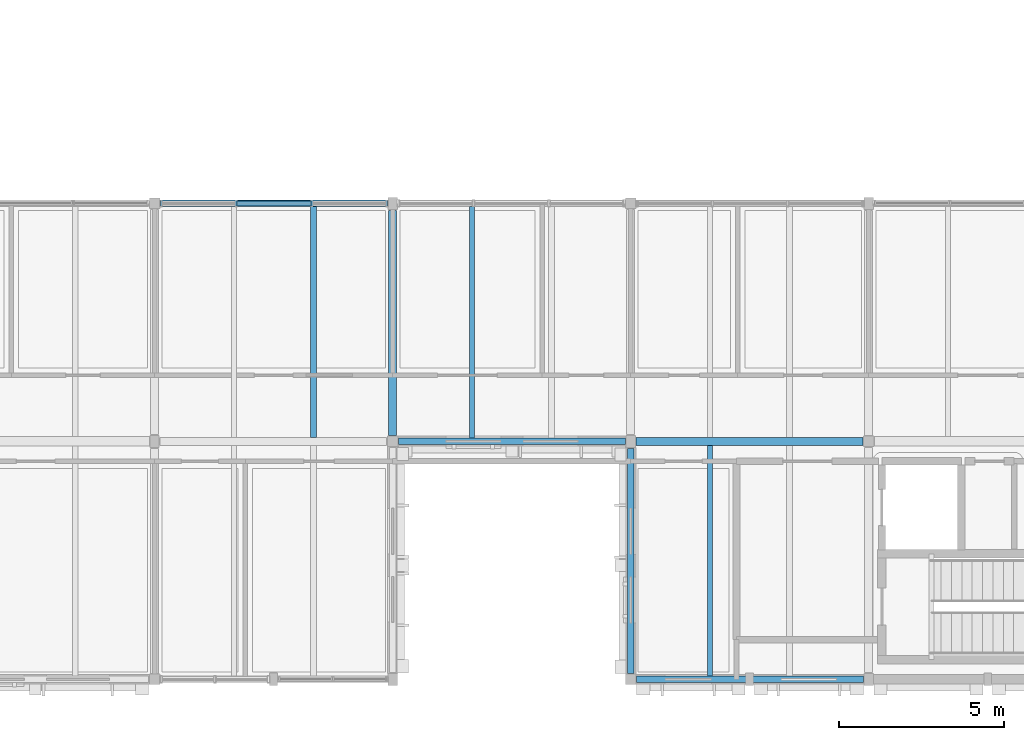
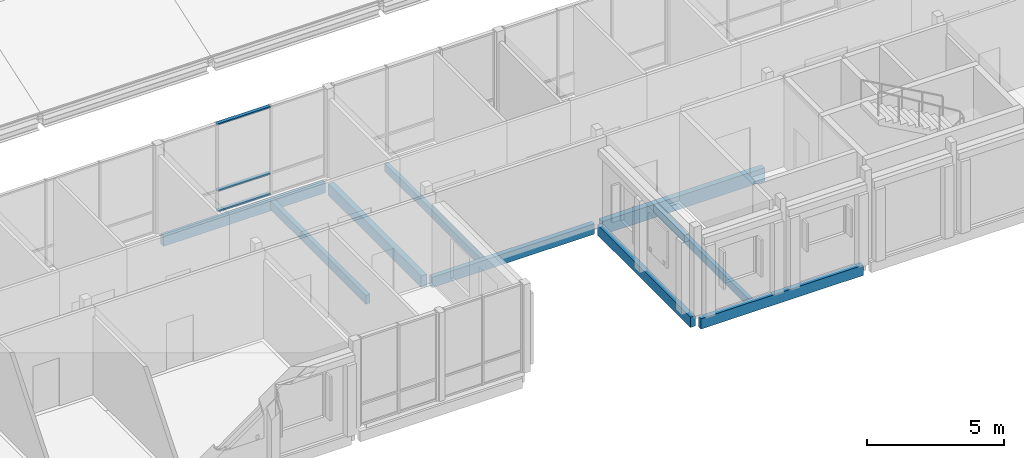
# One storey, part 13 of 115: 9 beams, 3 members, 1 element without a shape of its own.
"""IFC4 building model written with IfcOpenShell, lengths in metres."""

import ifcopenshell
import ifcopenshell.guid

model = None  # the IFC model being written
_history = None  # IfcOwnerHistory: only IFC2X3 demands one
_inside = {}  # id of a spatial element -> (the spatial element, [elements in it])
_under = {}  # id of a project, library or spatial element -> (it, [spatial elements below it])
_declared = {}  # id of a project -> (the project, [libraries it declares])
_typed = {}  # id of a type object -> (the type object, [elements of that type])
_made_of = {}  # id of a material, layer set ... -> (it, [elements and type objects made of it])


def new_model(schema):
    """Start an empty IFC model of exactly this schema.

    Asked for "IFC4X3", IfcOpenShell would pick the latest addendum, in which some entities
    have other attributes; the version numbers below select the first issue.
    IFC2X3 requires an IfcOwnerHistory on every rooted entity: one is made here for all.
    """
    global model, _history
    if schema == "IFC4X3":
        model = ifcopenshell.file(schema_version=(4, 3, 0, 0))
    else:
        model = ifcopenshell.file(schema=schema)
    _inside.clear()
    _under.clear()
    _declared.clear()
    _typed.clear()
    _made_of.clear()
    _history = None
    if model.schema == "IFC2X3":
        org = make("IfcOrganization", Name="unknown")
        user = make(
            "IfcPersonAndOrganization",
            ThePerson=make("IfcPerson", FamilyName="unknown"),
            TheOrganization=org,
        )
        app = make(
            "IfcApplication",
            ApplicationDeveloper=org,
            Version="unknown",
            ApplicationFullName="unknown",
            ApplicationIdentifier="unknown",
        )
        _history = make(
            "IfcOwnerHistory",
            OwningUser=user,
            OwningApplication=app,
            ChangeAction="ADDED",
            CreationDate=0,
        )
    return model


def make(cls, **values):
    """One entity of the class cls with the attributes given. An attribute that is None is left unset."""
    return model.create_entity(
        cls, **{name: value for name, value in values.items() if value is not None}
    )


def rooted(cls, **values):
    """An entity with a GlobalId (a new one), such as an element, a storey or a relation."""
    return make(cls, GlobalId=ifcopenshell.guid.new(), OwnerHistory=_history, **values)


def si_unit(unit_type, name, prefix=None):
    """IfcSIUnit, for example si_unit("LENGTHUNIT", "METRE", prefix="MILLI")."""
    return make("IfcSIUnit", UnitType=unit_type, Prefix=prefix, Name=name)


def assignment(units):
    """IfcUnitAssignment: the units of a project."""
    return None if units is None else make("IfcUnitAssignment", Units=units)


def point(xyz):
    """IfcCartesianPoint."""
    return None if xyz is None else make("IfcCartesianPoint", Coordinates=xyz)


def direction(xyz):
    """IfcDirection."""
    return None if xyz is None else make("IfcDirection", DirectionRatios=xyz)


def frame(location, z_axis=None, x_axis=None):
    """IfcAxis2Placement3D, a coordinate frame: its origin and axes. An axis left out is left unset."""
    return make(
        "IfcAxis2Placement3D",
        Location=point(location),
        Axis=direction(z_axis),
        RefDirection=direction(x_axis),
    )


def frame_2d(location, x_axis=None):
    """IfcAxis2Placement2D, a coordinate frame in the plane: its origin and x axis."""
    return make(
        "IfcAxis2Placement2D", Location=point(location), RefDirection=direction(x_axis)
    )


def origin():
    """The frame at (0, 0, 0) with its axes left unset."""
    return frame((0.0, 0.0, 0.0))


def origin_2d():
    """The frame at (0, 0) in the plane with its x axis left unset."""
    return frame_2d((0.0, 0.0))


def place(relative_to, where):
    """IfcLocalPlacement: puts the frame where relative to a parent placement (None: the world)."""
    return make(
        "IfcLocalPlacement", PlacementRelTo=relative_to, RelativePlacement=where
    )


def context(
    kind, dimensions, precision=None, world=None, true_north=None, identifier=None
):
    """IfcGeometricRepresentationContext, for example the 3D "Model" context."""
    return make(
        "IfcGeometricRepresentationContext",
        ContextIdentifier=identifier,
        ContextType=kind,
        CoordinateSpaceDimension=dimensions,
        Precision=precision,
        WorldCoordinateSystem=world,
        TrueNorth=true_north,
    )


def subcontext(parent, identifier, kind, view, scale=None):
    """IfcGeometricRepresentationSubContext, for example "Body" below "Model"."""
    return make(
        "IfcGeometricRepresentationSubContext",
        ContextIdentifier=identifier,
        ContextType=kind,
        ParentContext=parent,
        TargetScale=scale,
        TargetView=view,
    )


def project(units=None, contexts=None):
    """IfcProject with its units and contexts."""
    return rooted(
        "IfcProject",
        Name="project",
        RepresentationContexts=contexts,
        UnitsInContext=assignment(units),
    )


def spatial(cls, under=None, at=None, **own):
    """A site, building, storey or space (cls), placed at a placement, below another one or the project."""
    s = rooted(cls, ObjectPlacement=at, **own)
    if under is not None:
        _under.setdefault(under.id(), (under, []))[1].append(s)
    return s


def profile(cls, at=None, kind="AREA", **sizes):
    """A parametric profile (cls). Its sizes go by their IFC names, for example OverallWidth=200.0."""
    return make(cls, ProfileType=kind, Position=at, **sizes)


def rectangle(**sizes):
    """IfcRectangleProfileDef."""
    return profile("IfcRectangleProfileDef", **sizes)


def hollow_rectangle(**sizes):
    """IfcRectangleHollowProfileDef."""
    return profile("IfcRectangleHollowProfileDef", **sizes)


def extrude(swept, where, along, depth):
    """IfcExtrudedAreaSolid: the profile swept, set in the frame where, extruded along a direction by depth."""
    return make(
        "IfcExtrudedAreaSolid",
        SweptArea=swept,
        Position=where,
        ExtrudedDirection=direction(along),
        Depth=depth,
    )


def shape(context_of_items, identifier, shape_type, items):
    """IfcShapeRepresentation: the items that make up one representation, for example the "Body"."""
    return make(
        "IfcShapeRepresentation",
        ContextOfItems=context_of_items,
        RepresentationIdentifier=identifier,
        RepresentationType=shape_type,
        Items=items,
    )


def material(Name=None, Category=None):
    """IfcMaterial."""
    return make("IfcMaterial", Name=Name, Category=Category)


def material_profile(
    of_material, cross_section, Name=None, Category=None, Priority=None
):
    """IfcMaterialProfile: a cross section and its material."""
    return make(
        "IfcMaterialProfile",
        Name=Name,
        Material=of_material,
        Profile=cross_section,
        Priority=Priority,
        Category=Category,
    )


def profile_set(profiles, Name=None, composite=None):
    """IfcMaterialProfileSet."""
    return make(
        "IfcMaterialProfileSet",
        Name=Name,
        MaterialProfiles=profiles,
        CompositeProfile=composite,
    )


def made_of(thing, what):
    """Note that an element or type object is made of a material, layer set ...; save() writes the relation."""
    if what is not None:
        _made_of.setdefault(what.id(), (what, []))[1].append(thing)
    return thing


def type_object(cls, material=None, **own):
    """A type object (cls), such as IfcWallType, which elements share."""
    return made_of(rooted(cls, **own), material)


def element(
    cls,
    number,
    at=None,
    inside=None,
    cuts=None,
    type_object=None,
    material=None,
    context=None,
    identifier="Body",
    shape_type=None,
    held_by="IfcProductDefinitionShape",
    body=None,
    shapes=None,
    **own,
):
    """One element of the class cls, such as IfcWall. Its Tag is "e" and its number.

    at: its placement. inside: the storey or other place that contains it. cuts: it is an
    opening in that element (IfcRelVoidsElement). A single representation is given by context,
    identifier, shape_type and body (its items); several are given by shapes. held_by: the class
    of the entity that holds the representations. save() writes the other relations.
    """
    e = rooted(cls, Tag="e%d" % number, ObjectPlacement=at, **own)
    if body is not None:
        shapes = [shape(context, identifier, shape_type, body)]
    if shapes is not None:
        e.Representation = make(held_by, Representations=shapes)
    if inside is not None:
        _inside.setdefault(inside.id(), (inside, []))[1].append(e)
    if cuts is not None:
        rooted(
            "IfcRelVoidsElement", RelatingBuildingElement=cuts, RelatedOpeningElement=e
        )
    if type_object is not None:
        _typed.setdefault(type_object.id(), (type_object, []))[1].append(e)
    return made_of(e, material)


def aggregate(whole, parts):
    """IfcRelAggregates: a whole, such as a stair, and the parts it consists of."""
    return rooted("IfcRelAggregates", RelatingObject=whole, RelatedObjects=parts)


def save(model, path):
    """Write the relations noted so far, then the file.

    IfcRelAggregates (storeys below a building ...), IfcRelContainedInSpatialStructure (elements
    in a storey), IfcRelDefinesByType, IfcRelAssociatesMaterial and IfcRelDeclares: one each for
    every whole, place, type object, material and project.
    """
    for whole, parts in _under.values():
        aggregate(whole, parts)
    for where, things in _inside.values():
        rooted(
            "IfcRelContainedInSpatialStructure",
            RelatedElements=things,
            RelatingStructure=where,
        )
    for kind, things in _typed.values():
        rooted("IfcRelDefinesByType", RelatedObjects=things, RelatingType=kind)
    for what, things in _made_of.values():
        rooted("IfcRelAssociatesMaterial", RelatedObjects=things, RelatingMaterial=what)
    for by, libraries in _declared.values():
        rooted("IfcRelDeclares", RelatingContext=by, RelatedDefinitions=libraries)
    model.write(path)


model = new_model("IFC4")

# Units and contexts
model_context = context("Model", 3, precision=1e-05, world=origin(), true_north=direction((0.0, 1.0)))
body_context = subcontext(model_context, "Body", "Model", "MODEL_VIEW")
ifc_project = project(units=[si_unit("LENGTHUNIT", "METRE"), si_unit("AREAUNIT", "SQUARE_METRE"), si_unit("VOLUMEUNIT", "CUBIC_METRE"), si_unit("PLANEANGLEUNIT", "RADIAN"), si_unit("MASSUNIT", "GRAM", prefix="KILO")], contexts=[model_context])

# Site, building, storey
site_placement = place(None, origin())
site = spatial("IfcSite", under=ifc_project, at=site_placement, CompositionType="ELEMENT")
building_placement = place(site_placement, origin())
building = spatial("IfcBuilding", under=site, at=building_placement, Name="Hawrajan Terrace Health Centre", CompositionType="ELEMENT")
storey_placement = place(building_placement, frame((0.0, 0.0, 9.0)))
storey = spatial("IfcBuildingStorey", under=building, at=storey_placement, Name="L02", CompositionType="ELEMENT", Elevation=9.0)

# Curtain wall, members
ifc_material_1 = material(Name="Anodized bronze aluminium and low-E solar glazing", Category="aluminium")
curtain_wall_type = type_object("IfcCurtainWallType", Name="CW_Court_SeriesB1", PredefinedType="USERDEFINED", material=ifc_material_1)
curtain_wall_placement = place(storey_placement, origin())
curtain_wall = element("IfcCurtainWall", 1, at=curtain_wall_placement, inside=storey, type_object=curtain_wall_type, Name="Curtain wall CW-L02-124", ObjectType="UNITISED CURTAIN WALL", PredefinedType="USERDEFINED")
ifc_material_2 = material(Name="Anodized bronze aluminium 6063-T6", Category="aluminium")
ifc_material_profile_1 = material_profile(ifc_material_2, hollow_rectangle(XDim=0.06494140625, YDim=0.14990234375, WallThickness=0.00390625, at=origin_2d()), Name="CW TRN 65x150")
ifc_profile_set_1 = profile_set([ifc_material_profile_1], Name="Anodized bronze aluminium 6063-T6")
member_type = type_object("IfcMemberType", Name="CWTransom_65x150", PredefinedType="USERDEFINED", material=ifc_profile_set_1)
member_1_placement = place(storey_placement, frame((35.897216796875, 18.60009765625, 0.032470703125), z_axis=(1.0, 0.0, 0.0), x_axis=(0.0, 0.0, 1.0)))
member_1 = element("IfcMember", 2, at=member_1_placement, type_object=member_type, Name="Transom CW-L02-124-T2-1", ObjectType="TRANSOM", PredefinedType="USERDEFINED", context=body_context, shape_type="SweptSolid", body=[
    extrude(hollow_rectangle(XDim=0.06494140625, YDim=0.14990234375, WallThickness=0.00390625, at=origin_2d()), origin(), (0.0, 0.0, 1.0), 2.2255859375),
])
member_2_placement = place(storey_placement, frame((35.897216796875, 18.60009765625, 0.949951171875), z_axis=(1.0, 0.0, 0.0), x_axis=(0.0, 0.0, 1.0)))
member_2 = element("IfcMember", 3, at=member_2_placement, type_object=member_type, Name="Transom CW-L02-124-T2-2", ObjectType="TRANSOM", PredefinedType="USERDEFINED", context=body_context, shape_type="SweptSolid", body=[
    extrude(hollow_rectangle(XDim=0.06494140625, YDim=0.14990234375, WallThickness=0.00390625, at=origin_2d()), origin(), (0.0, 0.0, 1.0), 2.2255859375),
])
member_3_placement = place(storey_placement, frame((35.897216796875, 18.60009765625, 3.91748046875), z_axis=(1.0, 0.0, 0.0), x_axis=(0.0, 0.0, 1.0)))
member_3 = element("IfcMember", 4, at=member_3_placement, type_object=member_type, Name="Transom CW-L02-124-T2-3", ObjectType="TRANSOM", PredefinedType="USERDEFINED", context=body_context, shape_type="SweptSolid", body=[
    extrude(hollow_rectangle(XDim=0.06494140625, YDim=0.14990234375, WallThickness=0.00390625, at=origin_2d()), origin(), (0.0, 0.0, 1.0), 2.2255859375),
])
aggregate(curtain_wall, [member_1, member_2, member_3])

# Beams
ifc_material_3 = material(Name="Glulam GL32h", Category="wood")
ifc_material_profile_2 = material_profile(ifc_material_3, rectangle(XDim=0.239990234375, YDim=0.52001953125, at=origin_2d()), Name="GL BM 240x520")
ifc_profile_set_2 = profile_set([ifc_material_profile_2], Name="Glulam GL32h")
beam_type_1 = type_object("IfcBeamType", Name="GlulamGirder_240x520", PredefinedType="BEAM", material=ifc_profile_set_2)
beam_1_placement = place(storey_placement, frame((40.60009765625, 11.580078125, -0.5), z_axis=(0.0, 1.0, 0.0), x_axis=(-1.0, 0.0, 0.0)))
element("IfcBeam", 5, at=beam_1_placement, inside=storey, type_object=beam_type_1, Name="Beam BM-Y-L02-W-X06-2", PredefinedType="BEAM", context=body_context, shape_type="SweptSolid", body=[
    extrude(rectangle(XDim=0.239990234375, YDim=0.52001953125, at=origin_2d()), origin(), (0.0, 0.0, 1.0), 6.809814453125),
])
ifc_material_profile_3 = material_profile(ifc_material_3, rectangle(XDim=0.239990234375, YDim=0.60009765625, at=origin_2d()), Name="GL BM 240x600")
ifc_profile_set_3 = profile_set([ifc_material_profile_3], Name="Glulam GL32h")
beam_type_2 = type_object("IfcBeamType", Name="GlulamGirder_240x600", PredefinedType="BEAM", material=ifc_profile_set_3)
beam_2_placement = place(storey_placement, frame((47.9599609375, 11.39990234375, -0.5400390625), z_axis=(1.0, 0.0, 0.0), x_axis=(0.0, 1.0, 0.0)))
element("IfcBeam", 6, at=beam_2_placement, inside=storey, type_object=beam_type_2, Name="Beam BM-X-L02-W-07-Y2", PredefinedType="BEAM", context=body_context, shape_type="SweptSolid", body=[
    extrude(rectangle(XDim=0.239990234375, YDim=0.60009765625, at=origin_2d()), origin(), (0.0, 0.0, 1.0), 6.860107421875),
])
ifc_material_4 = material(Name="Glulam GL28h", Category="wood")
ifc_material_profile_4 = material_profile(ifc_material_4, rectangle(XDim=0.159912109375, YDim=0.360107421875, at=origin_2d()), Name="GL JST 160x360")
ifc_profile_set_4 = profile_set([ifc_material_profile_4], Name="Glulam GL28h")
beam_type_3 = type_object("IfcBeamType", Name="GlulamJoist_160x360", PredefinedType="JOIST", material=ifc_profile_set_4)
beam_3_placement = place(storey_placement, frame((43.0, 11.5, -0.419921875), z_axis=(0.0, 1.0, 0.0), x_axis=(-1.0, 0.0, 0.0)))
element("IfcBeam", 7, at=beam_3_placement, inside=storey, type_object=beam_type_3, Name="Secondary joist JST-L02-W-06-2-1", PredefinedType="JOIST", context=body_context, shape_type="SweptSolid", body=[
    extrude(rectangle(XDim=0.159912109375, YDim=0.360107421875, at=origin_2d()), origin(), (0.0, 0.0, 1.0), 7.0),
])
beam_4_placement = place(storey_placement, frame((50.199951171875, 4.300048828125, -0.419921875), z_axis=(0.0, 1.0, 0.0), x_axis=(-1.0, 0.0, 0.0)))
element("IfcBeam", 8, at=beam_4_placement, inside=storey, type_object=beam_type_3, Name="Secondary joist JST-L02-W-07-1-1", PredefinedType="JOIST", context=body_context, shape_type="SweptSolid", body=[
    extrude(rectangle(XDim=0.159912109375, YDim=0.360107421875, at=origin_2d()), origin(), (0.0, 0.0, 1.0), 6.97998046875),
])
ifc_material_profile_5 = material_profile(ifc_material_4, rectangle(XDim=0.179931640625, YDim=0.39990234375, at=origin_2d()), Name="GL JST 180x400")
ifc_profile_set_5 = profile_set([ifc_material_profile_5], Name="Glulam GL28h")
beam_type_4 = type_object("IfcBeamType", Name="GlulamJoist_180x400", PredefinedType="JOIST", material=ifc_profile_set_5)
beam_5_placement = place(storey_placement, frame((38.199951171875, 11.52001953125, -0.43994140625), z_axis=(0.0, 1.0, 0.0), x_axis=(-1.0, 0.0, 0.0)))
element("IfcBeam", 9, at=beam_5_placement, inside=storey, type_object=beam_type_4, Name="Secondary joist JST-L02-W-05-2-2", PredefinedType="JOIST", context=body_context, shape_type="SweptSolid", body=[
    extrude(rectangle(XDim=0.179931640625, YDim=0.39990234375, at=origin_2d()), origin(), (0.0, 0.0, 1.0), 6.97998046875),
])
ifc_material_profile_6 = material_profile(ifc_material_3, rectangle(XDim=0.199951171875, YDim=0.4599609375, at=origin_2d()), Name="GL SP 200x460")
ifc_profile_set_6 = profile_set([ifc_material_profile_6], Name="Glulam GL32h")
beam_type_5 = type_object("IfcBeamType", Name="GlulamSpandrel_200x460", PredefinedType="SPANDREL", material=ifc_profile_set_6)
for number, where, z_axis, x_axis, name in (
    (10, (33.580078125, 18.60009765625, -0.469970703125), (1.0, 0.0, 0.0), (0.0, 1.0, 0.0), "Beam BM-X-L02-W-05-Y3"),
    (11, (40.780029296875, 11.39990234375, -0.469970703125), (1.0, 0.0, 0.0), (0.0, 1.0, 0.0), "Beam BM-X-L02-W-06-Y2"),
):
    element("IfcBeam", number, at=place(storey_placement, frame(where, z_axis=z_axis, x_axis=x_axis)), inside=storey, type_object=beam_type_5, Name=name, PredefinedType="SPANDREL", context=body_context, shape_type="SweptSolid", body=[
        extrude(rectangle(XDim=0.199951171875, YDim=0.4599609375, at=origin_2d()), origin(), (0.0, 0.0, 1.0), 6.85986328125),
    ])
beam_6_placement = place(storey_placement, frame((47.97998046875, 4.199951171875, -0.469970703125), z_axis=(1.0, 0.0, 0.0), x_axis=(0.0, 1.0, 0.0)))
element("IfcBeam", 12, at=beam_6_placement, inside=storey, type_object=beam_type_5, Name="Beam BM-X-L02-W-07-Y1", PredefinedType="SPANDREL", context=body_context, shape_type="SweptSolid", body=[
    extrude(rectangle(XDim=0.199951171875, YDim=0.4599609375, at=origin_2d()), origin(), (0.0, 0.0, 1.0), 6.860107421875),
])
beam_7_placement = place(storey_placement, frame((47.800048828125, 4.3798828125, -0.469970703125), z_axis=(0.0, 1.0, 0.0), x_axis=(-1.0, 0.0, 0.0)))
element("IfcBeam", 13, at=beam_7_placement, inside=storey, type_object=beam_type_5, Name="Beam BM-Y-L02-W-X07-1", PredefinedType="SPANDREL", context=body_context, shape_type="SweptSolid", body=[
    extrude(rectangle(XDim=0.199951171875, YDim=0.4599609375, at=origin_2d()), origin(), (0.0, 0.0, 1.0), 6.81005859375),
])

save(model, "model.ifc")
